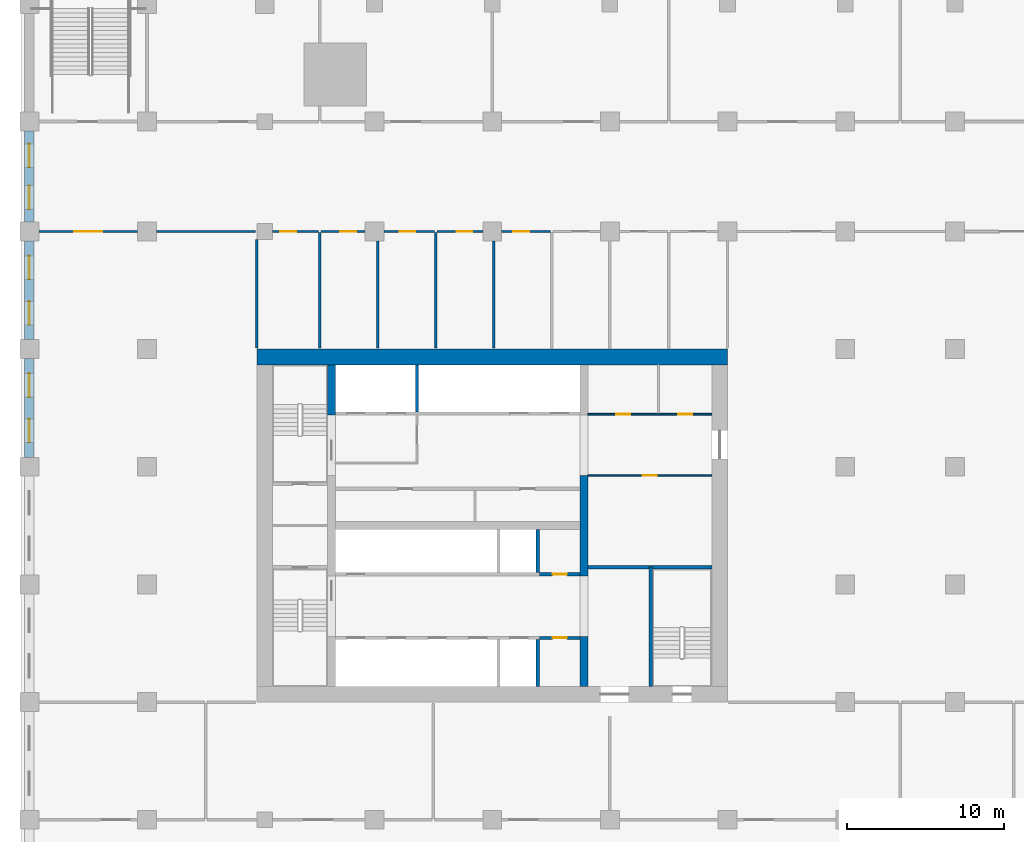
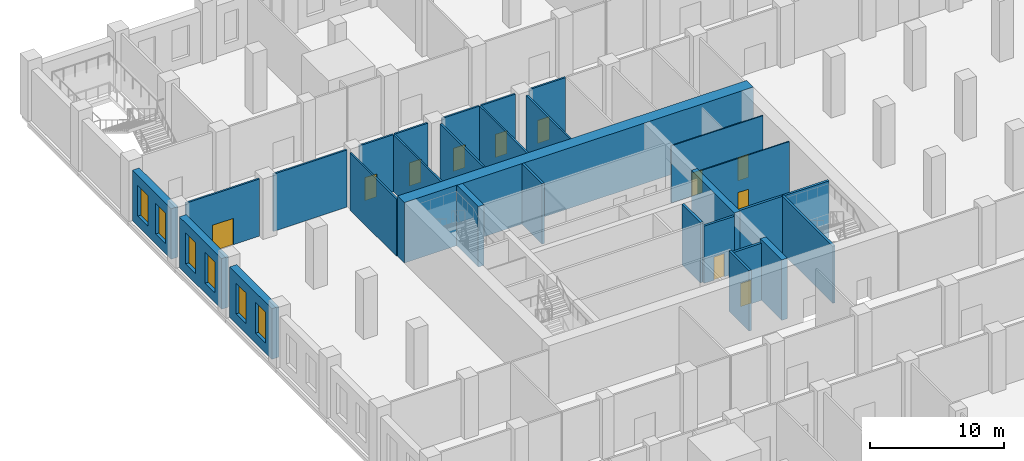
# One storey, part 6 of 25: 28 walls, 11 doors, 6 windows, 17 openings.
"""IFC4 building model written with IfcOpenShell, lengths in metres."""

from ifc_helpers import new_model, si_unit, direction, frame, frame_2d, origin, place, context, subcontext, project, spatial, rectangle, extrude, material, layer, layer_set, type_object, element, fill, save


model = new_model("IFC4")

# Units and contexts
model_context = context("Model", 3, precision=1e-05, world=origin(), true_north=direction((0.0, 1.0)))
body_context = subcontext(model_context, "Body", "Model", "MODEL_VIEW")
ifc_project = project(units=[si_unit("LENGTHUNIT", "METRE"), si_unit("AREAUNIT", "SQUARE_METRE"), si_unit("VOLUMEUNIT", "CUBIC_METRE"), si_unit("PLANEANGLEUNIT", "RADIAN"), si_unit("MASSUNIT", "GRAM", prefix="KILO")], contexts=[model_context])

# Site, building, storey
site_placement = place(None, origin())
site = spatial("IfcSite", under=ifc_project, at=site_placement, CompositionType="ELEMENT")
building_placement = place(site_placement, origin())
building = spatial("IfcBuilding", under=site, at=building_placement, Name="Tamorin Gate", CompositionType="ELEMENT")
storey_placement = place(building_placement, frame((0.0, 0.0, 23.5)))
storey = spatial("IfcBuildingStorey", under=building, at=storey_placement, Name="L04", CompositionType="ELEMENT", Elevation=23.5)

# Walls
ifc_material_1 = material(Name="Concrete C32/40", Category="concrete")
ifc_layer_1 = layer(ifc_material_1, 0.199951171875)
ifc_layer_set_1 = layer_set([ifc_layer_1], Name="Lift shaft wall 200 EI 120")
wall_type_1 = type_object("IfcWallType", Name="Lift shaft wall 200 EI 120", PredefinedType="SOLIDWALL", material=ifc_layer_set_1)
wall_1_placement = place(storey_placement, frame((47.89990234375, 61.0, 0.0), z_axis=(0.0, 0.0, 1.0), x_axis=(0.0, 1.0, 0.0)))
element("IfcWall", 1, at=wall_1_placement, inside=storey, type_object=wall_type_1, Name="Lift shaft wall", PredefinedType="SOLIDWALL", context=body_context, shape_type="SweptSolid", body=[
    extrude(rectangle(XDim=3.0, YDim=0.199951171875, at=frame_2d((1.5, 0.0))), origin(), (0.0, 0.0, 1.0), 5.5),
])
wall_2_placement = place(storey_placement, frame((47.89990234375, 68.25, 0.0), z_axis=(0.0, 0.0, 1.0), x_axis=(0.0, 1.0, 0.0)))
element("IfcWall", 2, at=wall_2_placement, inside=storey, type_object=wall_type_1, Name="Lift shaft wall", PredefinedType="SOLIDWALL", context=body_context, shape_type="SweptSolid", body=[
    extrude(rectangle(XDim=2.75, YDim=0.199951171875, at=frame_2d((1.375, 0.0))), origin(), (0.0, 0.0, 1.0), 5.5),
])
wall_3_placement = place(storey_placement, frame((40.199951171875, 78.5, 0.0), z_axis=(0.0, 0.0, 1.0), x_axis=(0.0, 1.0, 0.0)))
element("IfcWall", 3, at=wall_3_placement, inside=storey, type_object=wall_type_1, Name="Lift shaft wall", PredefinedType="SOLIDWALL", context=body_context, shape_type="SweptSolid", body=[
    extrude(rectangle(XDim=3.0, YDim=0.199951171875, at=frame_2d((1.5, 0.0))), origin(), (0.0, 0.0, 1.0), 5.5),
])

# Wall, opening, door
ifc_material_2 = material(Name="Concrete masonry C20/25", Category="masonry")
ifc_layer_2 = layer(ifc_material_2, 0.14990234375)
ifc_layer_set_2 = layer_set([ifc_layer_2], Name="Partition 150")
wall_type_2 = type_object("IfcWallType", Name="Partition 150", PredefinedType="PARTITIONING", material=ifc_layer_set_2)
wall_4_placement = place(storey_placement, frame((16.10009765625, 90.0, 0.0), z_axis=(0.0, 0.0, 1.0), x_axis=(1.0, 0.0, 0.0)))
wall_4 = element("IfcWall", 4, at=wall_4_placement, inside=storey, type_object=wall_type_2, Name="Partition 150 L04", PredefinedType="PARTITIONING", context=body_context, shape_type="SweptSolid", body=[
    extrude(rectangle(XDim=6.2998046875, YDim=0.14990234375, at=frame_2d((3.14990234375, 0.0))), origin(), (0.0, 0.0, 1.0), 5.199951171875),
])
opening_1_placement = place(wall_4_placement, frame((2.25, 0.0, 0.0)))
opening_1 = element("IfcOpeningElement", 5, at=opening_1_placement, cuts=wall_4, Name="Opening DP3", PredefinedType="OPENING", context=body_context, shape_type="SweptSolid", body=[
    extrude(rectangle(XDim=1.800048828125, YDim=2.39990234375, at=frame_2d((0.89990234375, 1.199951171875))), frame((0.0, 0.0849609375, 0.0), z_axis=(0.0, -1.0, 0.0), x_axis=(1.0, 0.0, 0.0)), (0.0, 0.0, 1.0), 0.169921875),
])
ifc_material_3 = material(Name="Steel and glass", Category="steel")
door_type_1 = type_object("IfcDoorType", Name="Door pair 1800", OperationType="DOUBLE_DOOR_SINGLE_SWING", PredefinedType="DOOR", material=ifc_material_3)
door_1_placement = place(opening_1_placement, origin())
door_1 = element("IfcDoor", 6, at=door_1_placement, inside=storey, type_object=door_type_1, Name="Door pair 1800 L04", OperationType="SINGLE_SWING_LEFT", OverallHeight=2.39990234375, OverallWidth=1.800048828125, PredefinedType="DOOR", context=body_context, shape_type="SweptSolid", body=[
    extrude(rectangle(XDim=1.800048828125, YDim=2.39990234375, at=frame_2d((0.89990234375, 1.199951171875))), frame((0.0, 0.02490234375, 0.0), z_axis=(0.0, -1.0, 0.0), x_axis=(1.0, 0.0, 0.0)), (0.0, 0.0, 1.0), 0.050048828125),
])
fill(opening_1, door_1)

# Wall
wall_5_placement = place(storey_placement, frame((23.60009765625, 90.0, 0.0), z_axis=(0.0, 0.0, 1.0), x_axis=(1.0, 0.0, 0.0)))
element("IfcWall", 7, at=wall_5_placement, inside=storey, type_object=wall_type_2, Name="Partition 150 L04", PredefinedType="PARTITIONING", context=body_context, shape_type="SweptSolid", body=[
    extrude(rectangle(XDim=6.324951171875, YDim=0.14990234375, at=frame_2d((3.16259765625, 0.0))), origin(), (0.0, 0.0, 1.0), 5.199951171875),
])

# Wall, opening, door
wall_6_placement = place(storey_placement, frame((31.0, 90.0, 0.0), z_axis=(0.0, 0.0, 1.0), x_axis=(1.0, 0.0, 0.0)))
wall_6 = element("IfcWall", 8, at=wall_6_placement, inside=storey, type_object=wall_type_2, Name="Partition 150 L04", PredefinedType="PARTITIONING", context=body_context, shape_type="SweptSolid", body=[
    extrude(rectangle(XDim=2.925048828125, YDim=0.14990234375, at=frame_2d((1.46240234375, 0.0))), origin(), (0.0, 0.0, 1.0), 5.199951171875),
])
opening_2_placement = place(wall_6_placement, frame((0.5, 0.0, 0.0)))
opening_2 = element("IfcOpeningElement", 9, at=opening_2_placement, cuts=wall_6, Name="Opening DP2", PredefinedType="OPENING", context=body_context, shape_type="SweptSolid", body=[
    extrude(rectangle(XDim=1.0, YDim=2.10009765625, at=frame_2d((0.5, 1.050048828125))), frame((0.0, 0.0849609375, 0.0), z_axis=(0.0, -1.0, 0.0), x_axis=(1.0, 0.0, 0.0)), (0.0, 0.0, 1.0), 0.169921875),
])
ifc_material_4 = material(Name="Painted steel", Category="steel")
door_type_2 = type_object("IfcDoorType", Name="Door single 1000", OperationType="SINGLE_SWING_LEFT", PredefinedType="DOOR", material=ifc_material_4)
door_2_placement = place(opening_2_placement, origin())
door_2 = element("IfcDoor", 10, at=door_2_placement, inside=storey, type_object=door_type_2, Name="Door single 1000 L04", OperationType="SINGLE_SWING_LEFT", OverallHeight=2.10009765625, OverallWidth=1.0, PredefinedType="DOOR", context=body_context, shape_type="SweptSolid", body=[
    extrude(rectangle(XDim=1.0, YDim=2.10009765625, at=frame_2d((0.5, 1.050048828125))), frame((0.0, 0.02490234375, 0.0), z_axis=(0.0, -1.0, 0.0), x_axis=(1.0, 0.0, 0.0)), (0.0, 0.0, 1.0), 0.050048828125),
])
fill(opening_2, door_2)

wall_7_placement = place(storey_placement, frame((34.074951171875, 90.0, 0.0), z_axis=(0.0, 0.0, 1.0), x_axis=(1.0, 0.0, 0.0)))
wall_7 = element("IfcWall", 11, at=wall_7_placement, inside=storey, type_object=wall_type_2, Name="Partition 150 L04", PredefinedType="PARTITIONING", context=body_context, shape_type="SweptSolid", body=[
    extrude(rectangle(XDim=2.824951171875, YDim=0.14990234375, at=frame_2d((1.41259765625, 0.0))), origin(), (0.0, 0.0, 1.0), 5.199951171875),
])
opening_3_placement = place(wall_7_placement, frame((1.25, 0.0, 0.0)))
opening_3 = element("IfcOpeningElement", 12, at=opening_3_placement, cuts=wall_7, Name="Opening DP2", PredefinedType="OPENING", context=body_context, shape_type="SweptSolid", body=[
    extrude(rectangle(XDim=1.0, YDim=2.10009765625, at=frame_2d((0.5, 1.050048828125))), frame((0.0, 0.0849609375, 0.0), z_axis=(0.0, -1.0, 0.0), x_axis=(1.0, 0.0, 0.0)), (0.0, 0.0, 1.0), 0.169921875),
])
door_3_placement = place(opening_3_placement, origin())
door_3 = element("IfcDoor", 13, at=door_3_placement, inside=storey, type_object=door_type_2, Name="Door single 1000 L04", OperationType="SINGLE_SWING_LEFT", OverallHeight=2.10009765625, OverallWidth=1.0, PredefinedType="DOOR", context=body_context, shape_type="SweptSolid", body=[
    extrude(rectangle(XDim=1.0, YDim=2.10009765625, at=frame_2d((0.5, 1.050048828125))), frame((0.0, 0.02490234375, 0.0), z_axis=(0.0, -1.0, 0.0), x_axis=(1.0, 0.0, 0.0)), (0.0, 0.0, 1.0), 0.050048828125),
])
fill(opening_3, door_3)

wall_8_placement = place(storey_placement, frame((38.10009765625, 90.0, 0.0), z_axis=(0.0, 0.0, 1.0), x_axis=(1.0, 0.0, 0.0)))
wall_8 = element("IfcWall", 14, at=wall_8_placement, inside=storey, type_object=wall_type_2, Name="Partition 150 L04", PredefinedType="PARTITIONING", context=body_context, shape_type="SweptSolid", body=[
    extrude(rectangle(XDim=3.224853515625, YDim=0.14990234375, at=frame_2d((1.6123046875, 0.0))), origin(), (0.0, 0.0, 1.0), 5.199951171875),
])
opening_4_placement = place(wall_8_placement, frame((1.0, 0.0, 0.0)))
opening_4 = element("IfcOpeningElement", 15, at=opening_4_placement, cuts=wall_8, Name="Opening DP2", PredefinedType="OPENING", context=body_context, shape_type="SweptSolid", body=[
    extrude(rectangle(XDim=1.0, YDim=2.10009765625, at=frame_2d((0.5, 1.050048828125))), frame((0.0, 0.0849609375, 0.0), z_axis=(0.0, -1.0, 0.0), x_axis=(1.0, 0.0, 0.0)), (0.0, 0.0, 1.0), 0.169921875),
])
door_4_placement = place(opening_4_placement, origin())
door_4 = element("IfcDoor", 16, at=door_4_placement, inside=storey, type_object=door_type_2, Name="Door single 1000 L04", OperationType="SINGLE_SWING_LEFT", OverallHeight=2.10009765625, OverallWidth=1.0, PredefinedType="DOOR", context=body_context, shape_type="SweptSolid", body=[
    extrude(rectangle(XDim=1.0, YDim=2.10009765625, at=frame_2d((0.5, 1.050048828125))), frame((0.0, 0.02490234375, 0.0), z_axis=(0.0, -1.0, 0.0), x_axis=(1.0, 0.0, 0.0)), (0.0, 0.0, 1.0), 0.050048828125),
])
fill(opening_4, door_4)

wall_9_placement = place(storey_placement, frame((41.47509765625, 90.0, 0.0), z_axis=(0.0, 0.0, 1.0), x_axis=(1.0, 0.0, 0.0)))
wall_9 = element("IfcWall", 17, at=wall_9_placement, inside=storey, type_object=wall_type_2, Name="Partition 150 L04", PredefinedType="PARTITIONING", context=body_context, shape_type="SweptSolid", body=[
    extrude(rectangle(XDim=2.9248046875, YDim=0.14990234375, at=frame_2d((1.46240234375, 0.0))), origin(), (0.0, 0.0, 1.0), 5.199951171875),
])
opening_5_placement = place(wall_9_placement, frame((1.25, 0.0, 0.0)))
opening_5 = element("IfcOpeningElement", 18, at=opening_5_placement, cuts=wall_9, Name="Opening DP2", PredefinedType="OPENING", context=body_context, shape_type="SweptSolid", body=[
    extrude(rectangle(XDim=1.0, YDim=2.10009765625, at=frame_2d((0.5, 1.050048828125))), frame((0.0, 0.0849609375, 0.0), z_axis=(0.0, -1.0, 0.0), x_axis=(1.0, 0.0, 0.0)), (0.0, 0.0, 1.0), 0.169921875),
])
door_5_placement = place(opening_5_placement, origin())
door_5 = element("IfcDoor", 19, at=door_5_placement, inside=storey, type_object=door_type_2, Name="Door single 1000 L04", OperationType="SINGLE_SWING_LEFT", OverallHeight=2.10009765625, OverallWidth=1.0, PredefinedType="DOOR", context=body_context, shape_type="SweptSolid", body=[
    extrude(rectangle(XDim=1.0, YDim=2.10009765625, at=frame_2d((0.5, 1.050048828125))), frame((0.0, 0.02490234375, 0.0), z_axis=(0.0, -1.0, 0.0), x_axis=(1.0, 0.0, 0.0)), (0.0, 0.0, 1.0), 0.050048828125),
])
fill(opening_5, door_5)

wall_10_placement = place(storey_placement, frame((45.60009765625, 90.0, 0.0), z_axis=(0.0, 0.0, 1.0), x_axis=(1.0, 0.0, 0.0)))
wall_10 = element("IfcWall", 20, at=wall_10_placement, inside=storey, type_object=wall_type_2, Name="Partition 150 L04", PredefinedType="PARTITIONING", context=body_context, shape_type="SweptSolid", body=[
    extrude(rectangle(XDim=3.125, YDim=0.14990234375, at=frame_2d((1.5625, 0.0))), origin(), (0.0, 0.0, 1.0), 5.199951171875),
])
opening_6_placement = place(wall_10_placement, frame((0.75, 0.0, 0.0)))
opening_6 = element("IfcOpeningElement", 21, at=opening_6_placement, cuts=wall_10, Name="Opening DP2", PredefinedType="OPENING", context=body_context, shape_type="SweptSolid", body=[
    extrude(rectangle(XDim=1.0, YDim=2.10009765625, at=frame_2d((0.5, 1.050048828125))), frame((0.0, 0.0849609375, 0.0), z_axis=(0.0, -1.0, 0.0), x_axis=(1.0, 0.0, 0.0)), (0.0, 0.0, 1.0), 0.169921875),
])
door_6_placement = place(opening_6_placement, origin())
door_6 = element("IfcDoor", 22, at=door_6_placement, inside=storey, type_object=door_type_2, Name="Door single 1000 L04", OperationType="SINGLE_SWING_LEFT", OverallHeight=2.10009765625, OverallWidth=1.0, PredefinedType="DOOR", context=body_context, shape_type="SweptSolid", body=[
    extrude(rectangle(XDim=1.0, YDim=2.10009765625, at=frame_2d((0.5, 1.050048828125))), frame((0.0, 0.02490234375, 0.0), z_axis=(0.0, -1.0, 0.0), x_axis=(1.0, 0.0, 0.0)), (0.0, 0.0, 1.0), 0.050048828125),
])
fill(opening_6, door_6)

# Walls
wall_11_placement = place(storey_placement, frame((34.0, 82.574951171875, 0.0), z_axis=(0.0, 0.0, 1.0), x_axis=(0.0, 1.0, 0.0)))
element("IfcWall", 23, at=wall_11_placement, inside=storey, type_object=wall_type_2, Name="Partition 150 L04", PredefinedType="PARTITIONING", context=body_context, shape_type="SweptSolid", body=[
    extrude(rectangle(XDim=7.35009765625, YDim=0.14990234375, at=frame_2d((3.675048828125, 0.0))), origin(), (0.0, 0.0, 1.0), 5.199951171875),
])
wall_12_placement = place(storey_placement, frame((30.0, 82.574951171875, 0.0), z_axis=(0.0, 0.0, 1.0), x_axis=(0.0, 1.0, 0.0)))
element("IfcWall", 24, at=wall_12_placement, inside=storey, type_object=wall_type_2, Name="Partition 150 L04", PredefinedType="PARTITIONING", context=body_context, shape_type="SweptSolid", body=[
    extrude(rectangle(XDim=6.925048828125, YDim=0.14990234375, at=frame_2d((3.46240234375, 0.0))), origin(), (0.0, 0.0, 1.0), 5.199951171875),
])
wall_13_placement = place(storey_placement, frame((37.699951171875, 82.574951171875, 0.0), z_axis=(0.0, 0.0, 1.0), x_axis=(0.0, 1.0, 0.0)))
element("IfcWall", 25, at=wall_13_placement, inside=storey, type_object=wall_type_2, Name="Partition 150 L04", PredefinedType="PARTITIONING", context=body_context, shape_type="SweptSolid", body=[
    extrude(rectangle(XDim=6.824951171875, YDim=0.14990234375, at=frame_2d((3.41259765625, 0.0))), origin(), (0.0, 0.0, 1.0), 5.199951171875),
])
wall_14_placement = place(storey_placement, frame((41.39990234375, 82.574951171875, 0.0), z_axis=(0.0, 0.0, 1.0), x_axis=(0.0, 1.0, 0.0)))
element("IfcWall", 26, at=wall_14_placement, inside=storey, type_object=wall_type_2, Name="Partition 150 L04", PredefinedType="PARTITIONING", context=body_context, shape_type="SweptSolid", body=[
    extrude(rectangle(XDim=7.35009765625, YDim=0.14990234375, at=frame_2d((3.675048828125, 0.0))), origin(), (0.0, 0.0, 1.0), 5.199951171875),
])
wall_15_placement = place(storey_placement, frame((45.10009765625, 82.574951171875, 0.0), z_axis=(0.0, 0.0, 1.0), x_axis=(0.0, 1.0, 0.0)))
element("IfcWall", 27, at=wall_15_placement, inside=storey, type_object=wall_type_2, Name="Partition 150 L04", PredefinedType="PARTITIONING", context=body_context, shape_type="SweptSolid", body=[
    extrude(rectangle(XDim=6.824951171875, YDim=0.14990234375, at=frame_2d((3.41259765625, 0.0))), origin(), (0.0, 0.0, 1.0), 5.199951171875),
])

# Wall, openings, windows
ifc_material_5 = material(Name="Precast concrete C40/50", Category="concrete")
ifc_layer_3 = layer(ifc_material_5, 0.60009765625)
ifc_layer_set_3 = layer_set([ifc_layer_3], Name="Precast concrete C40/50")
wall_type_3 = type_object("IfcWallType", Name="Precast plinth wall 600", PredefinedType="PARTITIONING", material=ifc_layer_set_3)
wall_16_placement = place(storey_placement, frame((15.5, 75.60009765625, 0.0), z_axis=(0.0, 0.0, 1.0), x_axis=(0.0, 1.0, 0.0)))
wall_16 = element("IfcWall", 28, at=wall_16_placement, inside=storey, type_object=wall_type_3, Name="Precast plinth wall 600 L04", PredefinedType="PARTITIONING", context=body_context, shape_type="SweptSolid", body=[
    extrude(rectangle(XDim=6.2998046875, YDim=0.60009765625, at=frame_2d((3.14990234375, 0.0))), origin(), (0.0, 0.0, 1.0), 4.60009765625),
])
opening_7_placement = place(wall_16_placement, frame((0.950927734375, 0.0, 0.89990234375)))
opening_7 = element("IfcOpeningElement", 29, at=opening_7_placement, cuts=wall_16, Name="Opening PWN5", PredefinedType="OPENING", context=body_context, shape_type="SweptSolid", body=[
    extrude(rectangle(XDim=1.5, YDim=2.800048828125, at=frame_2d((0.75, 1.39990234375))), frame((0.0, 0.31005859375, 0.0), z_axis=(0.0, -1.0, 0.0), x_axis=(1.0, 0.0, 0.0)), (0.0, 0.0, 1.0), 0.6201171875),
])
opening_8_placement = place(wall_16_placement, frame((3.84912109375, 0.0, 0.89990234375)))
opening_8 = element("IfcOpeningElement", 30, at=opening_8_placement, cuts=wall_16, Name="Opening PWN5", PredefinedType="OPENING", context=body_context, shape_type="SweptSolid", body=[
    extrude(rectangle(XDim=1.5, YDim=2.800048828125, at=frame_2d((0.75, 1.39990234375))), frame((0.0, 0.31005859375, 0.0), z_axis=(0.0, -1.0, 0.0), x_axis=(1.0, 0.0, 0.0)), (0.0, 0.0, 1.0), 0.6201171875),
])
ifc_material_6 = material(Name="Aluminium and glass", Category="aluminium")
window_type = type_object("IfcWindowType", Name="Plinth window 1500x2800", PartitioningType="DOUBLE_PANEL_VERTICAL", PredefinedType="WINDOW", material=ifc_material_6)
window_1_placement = place(opening_7_placement, origin())
window_1 = element("IfcWindow", 31, at=window_1_placement, inside=storey, type_object=window_type, Name="Plinth window 1500x2800", OverallHeight=2.800048828125, OverallWidth=1.5, PartitioningType="SINGLE_PANEL", PredefinedType="WINDOW", context=body_context, shape_type="SweptSolid", body=[
    extrude(rectangle(XDim=1.5, YDim=2.800048828125, at=frame_2d((0.75, 1.39990234375))), frame((0.0, 0.030029296875, 0.0), z_axis=(0.0, -1.0, 0.0), x_axis=(1.0, 0.0, 0.0)), (0.0, 0.0, 1.0), 0.06005859375),
])
fill(opening_7, window_1)
window_2_placement = place(opening_8_placement, origin())
window_2 = element("IfcWindow", 32, at=window_2_placement, inside=storey, type_object=window_type, Name="Plinth window 1500x2800", OverallHeight=2.800048828125, OverallWidth=1.5, PartitioningType="SINGLE_PANEL", PredefinedType="WINDOW", context=body_context, shape_type="SweptSolid", body=[
    extrude(rectangle(XDim=1.5, YDim=2.800048828125, at=frame_2d((0.75, 1.39990234375))), frame((0.0, 0.030029296875, 0.0), z_axis=(0.0, -1.0, 0.0), x_axis=(1.0, 0.0, 0.0)), (0.0, 0.0, 1.0), 0.06005859375),
])
fill(opening_8, window_2)

wall_17_placement = place(storey_placement, frame((15.5, 83.10009765625, 0.0), z_axis=(0.0, 0.0, 1.0), x_axis=(0.0, 1.0, 0.0)))
wall_17 = element("IfcWall", 33, at=wall_17_placement, inside=storey, type_object=wall_type_3, Name="Precast plinth wall 600 L04", PredefinedType="PARTITIONING", context=body_context, shape_type="SweptSolid", body=[
    extrude(rectangle(XDim=6.2998046875, YDim=0.60009765625, at=frame_2d((3.14990234375, 0.0))), origin(), (0.0, 0.0, 1.0), 4.60009765625),
])
opening_9_placement = place(wall_17_placement, frame((0.950927734375, 0.0, 0.89990234375)))
opening_9 = element("IfcOpeningElement", 34, at=opening_9_placement, cuts=wall_17, Name="Opening PWN5", PredefinedType="OPENING", context=body_context, shape_type="SweptSolid", body=[
    extrude(rectangle(XDim=1.5, YDim=2.800048828125, at=frame_2d((0.75, 1.39990234375))), frame((0.0, 0.31005859375, 0.0), z_axis=(0.0, -1.0, 0.0), x_axis=(1.0, 0.0, 0.0)), (0.0, 0.0, 1.0), 0.6201171875),
])
opening_10_placement = place(wall_17_placement, frame((3.84912109375, 0.0, 0.89990234375)))
opening_10 = element("IfcOpeningElement", 35, at=opening_10_placement, cuts=wall_17, Name="Opening PWN5", PredefinedType="OPENING", context=body_context, shape_type="SweptSolid", body=[
    extrude(rectangle(XDim=1.5, YDim=2.800048828125, at=frame_2d((0.75, 1.39990234375))), frame((0.0, 0.31005859375, 0.0), z_axis=(0.0, -1.0, 0.0), x_axis=(1.0, 0.0, 0.0)), (0.0, 0.0, 1.0), 0.6201171875),
])
window_3_placement = place(opening_9_placement, origin())
window_3 = element("IfcWindow", 36, at=window_3_placement, inside=storey, type_object=window_type, Name="Plinth window 1500x2800", OverallHeight=2.800048828125, OverallWidth=1.5, PartitioningType="SINGLE_PANEL", PredefinedType="WINDOW", context=body_context, shape_type="SweptSolid", body=[
    extrude(rectangle(XDim=1.5, YDim=2.800048828125, at=frame_2d((0.75, 1.39990234375))), frame((0.0, 0.030029296875, 0.0), z_axis=(0.0, -1.0, 0.0), x_axis=(1.0, 0.0, 0.0)), (0.0, 0.0, 1.0), 0.06005859375),
])
fill(opening_9, window_3)
window_4_placement = place(opening_10_placement, origin())
window_4 = element("IfcWindow", 37, at=window_4_placement, inside=storey, type_object=window_type, Name="Plinth window 1500x2800", OverallHeight=2.800048828125, OverallWidth=1.5, PartitioningType="SINGLE_PANEL", PredefinedType="WINDOW", context=body_context, shape_type="SweptSolid", body=[
    extrude(rectangle(XDim=1.5, YDim=2.800048828125, at=frame_2d((0.75, 1.39990234375))), frame((0.0, 0.030029296875, 0.0), z_axis=(0.0, -1.0, 0.0), x_axis=(1.0, 0.0, 0.0)), (0.0, 0.0, 1.0), 0.06005859375),
])
fill(opening_10, window_4)

wall_18_placement = place(storey_placement, frame((15.5, 90.60009765625, 0.0), z_axis=(0.0, 0.0, 1.0), x_axis=(0.0, 1.0, 0.0)))
wall_18 = element("IfcWall", 38, at=wall_18_placement, inside=storey, type_object=wall_type_3, Name="Precast plinth wall 600 L04", PredefinedType="PARTITIONING", context=body_context, shape_type="SweptSolid", body=[
    extrude(rectangle(XDim=5.7998046875, YDim=0.60009765625, at=frame_2d((2.89990234375, 0.0))), origin(), (0.0, 0.0, 1.0), 4.60009765625),
])
opening_11_placement = place(wall_18_placement, frame((0.81591796875, 0.0, 0.89990234375)))
opening_11 = element("IfcOpeningElement", 39, at=opening_11_placement, cuts=wall_18, Name="Opening PWN5", PredefinedType="OPENING", context=body_context, shape_type="SweptSolid", body=[
    extrude(rectangle(XDim=1.5, YDim=2.800048828125, at=frame_2d((0.75, 1.39990234375))), frame((0.0, 0.31005859375, 0.0), z_axis=(0.0, -1.0, 0.0), x_axis=(1.0, 0.0, 0.0)), (0.0, 0.0, 1.0), 0.6201171875),
])
opening_12_placement = place(wall_18_placement, frame((3.48388671875, 0.0, 0.89990234375)))
opening_12 = element("IfcOpeningElement", 40, at=opening_12_placement, cuts=wall_18, Name="Opening PWN5", PredefinedType="OPENING", context=body_context, shape_type="SweptSolid", body=[
    extrude(rectangle(XDim=1.5, YDim=2.800048828125, at=frame_2d((0.75, 1.39990234375))), frame((0.0, 0.31005859375, 0.0), z_axis=(0.0, -1.0, 0.0), x_axis=(1.0, 0.0, 0.0)), (0.0, 0.0, 1.0), 0.6201171875),
])
window_5_placement = place(opening_11_placement, origin())
window_5 = element("IfcWindow", 41, at=window_5_placement, inside=storey, type_object=window_type, Name="Plinth window 1500x2800", OverallHeight=2.800048828125, OverallWidth=1.5, PartitioningType="SINGLE_PANEL", PredefinedType="WINDOW", context=body_context, shape_type="SweptSolid", body=[
    extrude(rectangle(XDim=1.5, YDim=2.800048828125, at=frame_2d((0.75, 1.39990234375))), frame((0.0, 0.030029296875, 0.0), z_axis=(0.0, -1.0, 0.0), x_axis=(1.0, 0.0, 0.0)), (0.0, 0.0, 1.0), 0.06005859375),
])
fill(opening_11, window_5)
window_6_placement = place(opening_12_placement, origin())
window_6 = element("IfcWindow", 42, at=window_6_placement, inside=storey, type_object=window_type, Name="Plinth window 1500x2800", OverallHeight=2.800048828125, OverallWidth=1.5, PartitioningType="SINGLE_PANEL", PredefinedType="WINDOW", context=body_context, shape_type="SweptSolid", body=[
    extrude(rectangle(XDim=1.5, YDim=2.800048828125, at=frame_2d((0.75, 1.39990234375))), frame((0.0, 0.030029296875, 0.0), z_axis=(0.0, -1.0, 0.0), x_axis=(1.0, 0.0, 0.0)), (0.0, 0.0, 1.0), 0.06005859375),
])
fill(opening_12, window_6)

# Walls
ifc_material_7 = material(Name="Concrete C80/95", Category="concrete")
ifc_layer_4 = layer(ifc_material_7, 0.5)
ifc_layer_set_4 = layer_set([ifc_layer_4], Name="RC core internal wall 500 C80/95")
wall_type_4 = type_object("IfcWallType", Name="RC core internal wall 500 C80/95", PredefinedType="SHEAR", material=ifc_layer_set_4)
for number, where, z_axis, x_axis, name in (
    (43, (34.75, 78.300048828125, 0.0), (0.0, 0.0, 1.0), (0.0, 1.0, 0.0), "Core cross wall L04"),
    (44, (50.85009765625, 61.0, 0.0), (0.0, 0.0, 1.0), (0.0, 1.0, 0.0), "Core cross wall L04"),
):
    element("IfcWall", number, at=place(storey_placement, frame(where, z_axis=z_axis, x_axis=x_axis)), inside=storey, type_object=wall_type_4, Name=name, PredefinedType="SHEAR", context=body_context, shape_type="SweptSolid", body=[
        extrude(rectangle(XDim=3.199951171875, YDim=0.5, at=frame_2d((1.60009765625, 0.0))), origin(), (0.0, 0.0, 1.0), 5.5),
    ])
wall_19_placement = place(storey_placement, frame((50.85009765625, 68.050048828125, 0.0), z_axis=(0.0, 0.0, 1.0), x_axis=(0.0, 1.0, 0.0)))
element("IfcWall", 45, at=wall_19_placement, inside=storey, type_object=wall_type_4, Name="Core cross wall L04", PredefinedType="SHEAR", context=body_context, shape_type="SweptSolid", body=[
    extrude(rectangle(XDim=6.39990234375, YDim=0.5, at=frame_2d((3.199951171875, 0.0))), origin(), (0.0, 0.0, 1.0), 5.5),
])
ifc_layer_5 = layer(ifc_material_7, 1.0)
ifc_layer_set_5 = layer_set([ifc_layer_5], Name="RC core wall 1000 C80/95")
wall_type_5 = type_object("IfcWallType", Name="RC core wall 1000 C80/95", PredefinedType="SHEAR", material=ifc_layer_set_5)
wall_20_placement = place(storey_placement, frame((30.0, 82.0, 0.0), z_axis=(0.0, 0.0, 1.0), x_axis=(1.0, 0.0, 0.0)))
element("IfcWall", 46, at=wall_20_placement, inside=storey, type_object=wall_type_5, Name="Core wall L04", PredefinedType="SHEAR", context=body_context, shape_type="SweptSolid", body=[
    extrude(rectangle(XDim=30.0, YDim=1.0, at=frame_2d((15.0, 0.0))), origin(), (0.0, 0.0, 1.0), 5.5),
])

# Wall, opening, door
ifc_material_8 = material(Name="Gypsum board partition")
ifc_layer_6 = layer(ifc_material_8, 0.199951171875)
ifc_layer_set_6 = layer_set([ifc_layer_6], Name="Service room face wall 200 EI 60")
wall_type_6 = type_object("IfcWallType", Name="Service room face wall 200 EI 60", PredefinedType="PARTITIONING", material=ifc_layer_set_6)
wall_21_placement = place(storey_placement, frame((48.0, 64.10009765625, 0.0), z_axis=(0.0, 0.0, 1.0), x_axis=(1.0, 0.0, 0.0)))
wall_21 = element("IfcWall", 47, at=wall_21_placement, inside=storey, type_object=wall_type_6, Name="Service room face wall", PredefinedType="PARTITIONING", context=body_context, shape_type="SweptSolid", body=[
    extrude(rectangle(XDim=2.60009765625, YDim=0.199951171875, at=frame_2d((1.300048828125, 0.0))), origin(), (0.0, 0.0, 1.0), 5.199951171875),
])
opening_13_placement = place(wall_21_placement, frame((0.85009765625, 0.0, 0.0)))
opening_13 = element("IfcOpeningElement", 48, at=opening_13_placement, cuts=wall_21, Name="Opening DK1", PredefinedType="OPENING", context=body_context, shape_type="SweptSolid", body=[
    extrude(rectangle(XDim=0.89990234375, YDim=2.10009765625, at=frame_2d((0.449951171875, 1.050048828125))), frame((0.0, 0.10986328125, 0.0), z_axis=(0.0, -1.0, 0.0), x_axis=(1.0, 0.0, 0.0)), (0.0, 0.0, 1.0), 0.219970703125),
])
ifc_material_9 = material(Name="Timber fire door", Category="wood")
door_type_3 = type_object("IfcDoorType", Name="Service room door 900 x 2100 EI 60", OperationType="SINGLE_SWING_LEFT", PredefinedType="DOOR", material=ifc_material_9)
door_7_placement = place(opening_13_placement, origin())
door_7 = element("IfcDoor", 49, at=door_7_placement, inside=storey, type_object=door_type_3, Name="Door Staff WC", OperationType="SINGLE_SWING_RIGHT", OverallHeight=2.10009765625, OverallWidth=0.89990234375, PredefinedType="DOOR", context=body_context, shape_type="SweptSolid", body=[
    extrude(rectangle(XDim=0.89990234375, YDim=2.10009765625, at=frame_2d((0.449951171875, 1.050048828125))), frame((0.0, 0.02490234375, 0.0), z_axis=(0.0, -1.0, 0.0), x_axis=(1.0, 0.0, 0.0)), (0.0, 0.0, 1.0), 0.050048828125),
])
fill(opening_13, door_7)

wall_22_placement = place(storey_placement, frame((48.0, 68.14990234375, 0.0), z_axis=(0.0, 0.0, 1.0), x_axis=(1.0, 0.0, 0.0)))
wall_22 = element("IfcWall", 50, at=wall_22_placement, inside=storey, type_object=wall_type_6, Name="Service room face wall", PredefinedType="PARTITIONING", context=body_context, shape_type="SweptSolid", body=[
    extrude(rectangle(XDim=2.60009765625, YDim=0.199951171875, at=frame_2d((1.300048828125, 0.0))), origin(), (0.0, 0.0, 1.0), 5.199951171875),
])
opening_14_placement = place(wall_22_placement, frame((0.85009765625, 0.0, 0.0)))
opening_14 = element("IfcOpeningElement", 51, at=opening_14_placement, cuts=wall_22, Name="Opening DK1", PredefinedType="OPENING", context=body_context, shape_type="SweptSolid", body=[
    extrude(rectangle(XDim=0.89990234375, YDim=2.10009765625, at=frame_2d((0.449951171875, 1.050048828125))), frame((0.0, 0.10986328125, 0.0), z_axis=(0.0, -1.0, 0.0), x_axis=(1.0, 0.0, 0.0)), (0.0, 0.0, 1.0), 0.219970703125),
])
door_8_placement = place(opening_14_placement, origin())
door_8 = element("IfcDoor", 52, at=door_8_placement, inside=storey, type_object=door_type_3, Name="Door Electrical room", OperationType="SINGLE_SWING_RIGHT", OverallHeight=2.10009765625, OverallWidth=0.89990234375, PredefinedType="DOOR", context=body_context, shape_type="SweptSolid", body=[
    extrude(rectangle(XDim=0.89990234375, YDim=2.10009765625, at=frame_2d((0.449951171875, 1.050048828125))), frame((0.0, 0.02490234375, 0.0), z_axis=(0.0, -1.0, 0.0), x_axis=(1.0, 0.0, 0.0)), (0.0, 0.0, 1.0), 0.050048828125),
])
fill(opening_14, door_8)

ifc_layer_7 = layer(ifc_material_8, 0.10009765625)
ifc_layer_set_7 = layer_set([ifc_layer_7], Name="Service room partition 100 EI 60")
wall_type_7 = type_object("IfcWallType", Name="Service room partition 100 EI 60", PredefinedType="PARTITIONING", material=ifc_layer_set_7)
wall_23_placement = place(storey_placement, frame((51.10009765625, 74.449951171875, 0.0), z_axis=(0.0, 0.0, 1.0), x_axis=(1.0, 0.0, 0.0)))
wall_23 = element("IfcWall", 53, at=wall_23_placement, inside=storey, type_object=wall_type_7, Name="Service room wall", PredefinedType="PARTITIONING", context=body_context, shape_type="SweptSolid", body=[
    extrude(rectangle(XDim=7.89990234375, YDim=0.10009765625, at=frame_2d((3.949951171875, 0.0))), origin(), (0.0, 0.0, 1.0), 5.199951171875),
])
opening_15_placement = place(wall_23_placement, frame((3.5, 0.0, 0.0)))
opening_15 = element("IfcOpeningElement", 54, at=opening_15_placement, cuts=wall_23, Name="Opening DR1", PredefinedType="OPENING", context=body_context, shape_type="SweptSolid", body=[
    extrude(rectangle(XDim=0.89990234375, YDim=2.10009765625, at=frame_2d((0.449951171875, 1.050048828125))), frame((0.0, 0.06005859375, 0.0), z_axis=(0.0, -1.0, 0.0), x_axis=(1.0, 0.0, 0.0)), (0.0, 0.0, 1.0), 0.1201171875),
])
ifc_material_10 = material(Name="Steel fire door", Category="steel")
door_type_4 = type_object("IfcDoorType", Name="Riser access door 900 x 2100 EI 120", OperationType="SINGLE_SWING_LEFT", PredefinedType="DOOR", material=ifc_material_10)
door_9_placement = place(opening_15_placement, origin())
door_9 = element("IfcDoor", 55, at=door_9_placement, inside=storey, type_object=door_type_4, Name="Duct riser door", OperationType="SINGLE_SWING_RIGHT", OverallHeight=2.10009765625, OverallWidth=0.89990234375, PredefinedType="DOOR", context=body_context, shape_type="SweptSolid", body=[
    extrude(rectangle(XDim=0.89990234375, YDim=2.10009765625, at=frame_2d((0.449951171875, 1.050048828125))), frame((0.0, 0.02490234375, 0.0), z_axis=(0.0, -1.0, 0.0), x_axis=(1.0, 0.0, 0.0)), (0.0, 0.0, 1.0), 0.050048828125),
])
fill(opening_15, door_9)

# Wall, openings, doors
wall_24_placement = place(storey_placement, frame((51.10009765625, 78.35009765625, 0.0), z_axis=(0.0, 0.0, 1.0), x_axis=(1.0, 0.0, 0.0)))
wall_24 = element("IfcWall", 56, at=wall_24_placement, inside=storey, type_object=wall_type_7, Name="Service room wall", PredefinedType="PARTITIONING", context=body_context, shape_type="SweptSolid", body=[
    extrude(rectangle(XDim=7.89990234375, YDim=0.10009765625, at=frame_2d((3.949951171875, 0.0))), origin(), (0.0, 0.0, 1.0), 5.199951171875),
])
opening_16_placement = place(wall_24_placement, frame((1.800048828125, 0.0, 0.0)))
opening_16 = element("IfcOpeningElement", 57, at=opening_16_placement, cuts=wall_24, Name="Opening DK1", PredefinedType="OPENING", context=body_context, shape_type="SweptSolid", body=[
    extrude(rectangle(XDim=0.89990234375, YDim=2.10009765625, at=frame_2d((0.449951171875, 1.050048828125))), frame((0.0, 0.06005859375, 0.0), z_axis=(0.0, -1.0, 0.0), x_axis=(1.0, 0.0, 0.0)), (0.0, 0.0, 1.0), 0.1201171875),
])
opening_17_placement = place(wall_24_placement, frame((5.75, 0.0, 0.0)))
opening_17 = element("IfcOpeningElement", 58, at=opening_17_placement, cuts=wall_24, Name="Opening DK1", PredefinedType="OPENING", context=body_context, shape_type="SweptSolid", body=[
    extrude(rectangle(XDim=0.89990234375, YDim=2.10009765625, at=frame_2d((0.449951171875, 1.050048828125))), frame((0.0, 0.06005859375, 0.0), z_axis=(0.0, -1.0, 0.0), x_axis=(1.0, 0.0, 0.0)), (0.0, 0.0, 1.0), 0.1201171875),
])
door_10_placement = place(opening_16_placement, origin())
door_10 = element("IfcDoor", 59, at=door_10_placement, inside=storey, type_object=door_type_3, Name="Door Maintenance store", OperationType="SINGLE_SWING_RIGHT", OverallHeight=2.10009765625, OverallWidth=0.89990234375, PredefinedType="DOOR", context=body_context, shape_type="SweptSolid", body=[
    extrude(rectangle(XDim=0.89990234375, YDim=2.10009765625, at=frame_2d((0.449951171875, 1.050048828125))), frame((0.0, 0.02490234375, 0.0), z_axis=(0.0, -1.0, 0.0), x_axis=(1.0, 0.0, 0.0)), (0.0, 0.0, 1.0), 0.050048828125),
])
fill(opening_16, door_10)
door_11_placement = place(opening_17_placement, origin())
door_11 = element("IfcDoor", 60, at=door_11_placement, inside=storey, type_object=door_type_3, Name="Door Staff WC", OperationType="SINGLE_SWING_LEFT", OverallHeight=2.10009765625, OverallWidth=0.89990234375, PredefinedType="DOOR", context=body_context, shape_type="SweptSolid", body=[
    extrude(rectangle(XDim=0.89990234375, YDim=2.10009765625, at=frame_2d((0.449951171875, 1.050048828125))), frame((0.0, 0.02490234375, 0.0), z_axis=(0.0, -1.0, 0.0), x_axis=(1.0, 0.0, 0.0)), (0.0, 0.0, 1.0), 0.050048828125),
])
fill(opening_17, door_11)

# Walls
ifc_material_11 = material(Name="Concrete C40/50", Category="concrete")
ifc_layer_8 = layer(ifc_material_11, 0.199951171875)
ifc_layer_set_8 = layer_set([ifc_layer_8], Name="Stair enclosure wall 200 EI 120 C40/50")
wall_type_8 = type_object("IfcWallType", Name="Stair enclosure wall 200 EI 120 C40/50", PredefinedType="SOLIDWALL", material=ifc_layer_set_8)
wall_25_placement = place(storey_placement, frame((55.10009765625, 61.0, 0.0), z_axis=(0.0, 0.0, 1.0), x_axis=(0.0, 1.0, 0.0)))
element("IfcWall", 61, at=wall_25_placement, inside=storey, type_object=wall_type_8, Name="Stair enclosure wall", PredefinedType="SOLIDWALL", context=body_context, shape_type="SweptSolid", body=[
    extrude(rectangle(XDim=7.60009765625, YDim=0.199951171875, at=frame_2d((3.800048828125, 0.0))), origin(), (0.0, 0.0, 1.0), 5.199951171875),
])
wall_26_placement = place(storey_placement, frame((51.10009765625, 68.60009765625, 0.0), z_axis=(0.0, 0.0, 1.0), x_axis=(1.0, 0.0, 0.0)))
element("IfcWall", 62, at=wall_26_placement, inside=storey, type_object=wall_type_8, Name="Stair enclosure wall", PredefinedType="SOLIDWALL", context=body_context, shape_type="SweptSolid", body=[
    extrude(rectangle(XDim=7.89990234375, YDim=0.199951171875, at=frame_2d((3.949951171875, 0.0))), origin(), (0.0, 0.0, 1.0), 5.199951171875),
])

save(model, "model.ifc")
